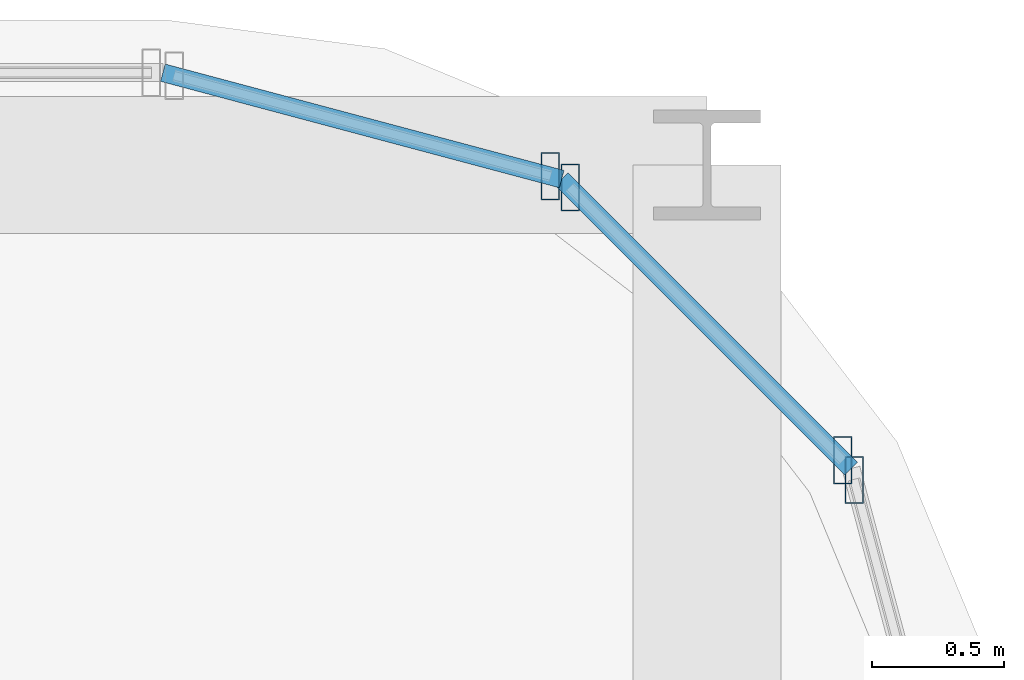
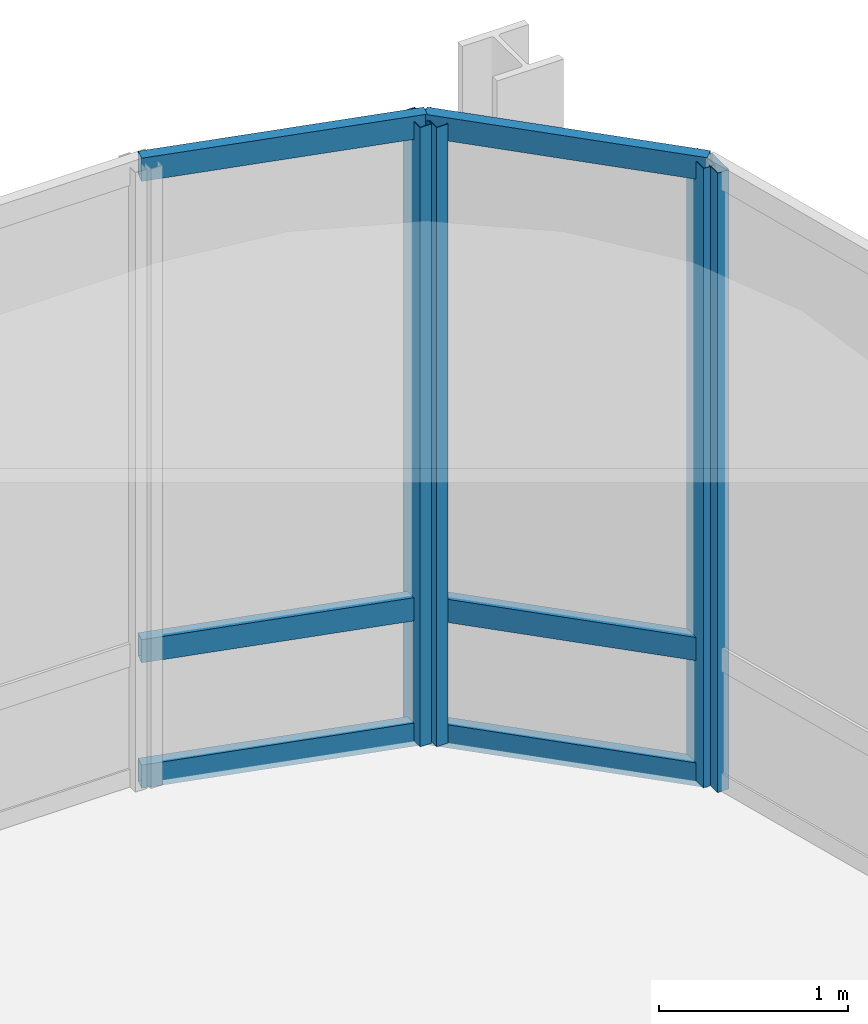
# One storey, part 31 of 42: 10 members, 3 elements without a shape of their own.
"""IFC4 building model written with IfcOpenShell, lengths in metres."""

from ifc_helpers import new_model, si_unit, direction, frame, origin, origin_2d, place, context, subcontext, project, spatial, hollow_rectangle, extrude, material, material_profile, profile_set, type_object, element, aggregate, save


model = new_model("IFC4")

# Units and contexts
model_context = context("Model", 3, precision=1e-05, world=origin(), true_north=direction((0.0, 1.0)))
body_context = subcontext(model_context, "Body", "Model", "MODEL_VIEW")
ifc_project = project(units=[si_unit("LENGTHUNIT", "METRE"), si_unit("AREAUNIT", "SQUARE_METRE"), si_unit("VOLUMEUNIT", "CUBIC_METRE"), si_unit("PLANEANGLEUNIT", "RADIAN"), si_unit("MASSUNIT", "GRAM", prefix="KILO")], contexts=[model_context])

# Site, building, storey
site_placement = place(None, origin())
site = spatial("IfcSite", under=ifc_project, at=site_placement, CompositionType="ELEMENT")
building_placement = place(site_placement, origin())
building = spatial("IfcBuilding", under=site, at=building_placement, Name="Punatoya Terracotta Tower", CompositionType="ELEMENT")
storey_placement = place(building_placement, frame((0.0, 0.0, 296.39990234375)))
storey = spatial("IfcBuildingStorey", under=building, at=storey_placement, Name="L70", CompositionType="ELEMENT", Elevation=296.39990234375)

# Curtain wall, member
ifc_material_1 = material(Name="Aluminium 6063-T6 + Double Low-E Glass", Category="aluminium")
curtain_wall_type = type_object("IfcCurtainWallType", Name="CW-M3", PredefinedType="NOTDEFINED", material=ifc_material_1)
curtain_wall_1_placement = place(storey_placement, origin())
curtain_wall_1 = element("IfcCurtainWall", 1, at=curtain_wall_1_placement, inside=storey, type_object=curtain_wall_type, Name="L70 Curtain Wall CW-L70-CRN06", PredefinedType="NOTDEFINED")
ifc_material_2 = material(Name="Aluminium 6063-T6", Category="aluminium")
ifc_material_profile_1 = material_profile(ifc_material_2, hollow_rectangle(XDim=0.070068359375, YDim=0.179931640625, WallThickness=0.00390625, at=origin_2d()))
ifc_profile_set_1 = profile_set([ifc_material_profile_1], Name="Aluminium 6063-T6")
member_type_1 = type_object("IfcMemberType", Name="CW-MUL-M3", PredefinedType="MULLION", material=ifc_profile_set_1)
member_1_placement = place(storey_placement, frame((19.658203125, 21.70556640625, 0.0), z_axis=(0.0, 0.0, 1.0), x_axis=(1.0, 0.0, 0.0)))
member_1 = element("IfcMember", 2, at=member_1_placement, type_object=member_type_1, Name="CW-L70-CRN06 Mullion 01", PredefinedType="MULLION", context=body_context, shape_type="SweptSolid", body=[
    extrude(hollow_rectangle(XDim=0.070068359375, YDim=0.179931640625, WallThickness=0.00390625, at=origin_2d()), origin(), (0.0, 0.0, 1.0), 4.0),
])
aggregate(curtain_wall_1, [member_1])

# Curtain wall, members
curtain_wall_2_placement = place(storey_placement, origin())
curtain_wall_2 = element("IfcCurtainWall", 3, at=curtain_wall_2_placement, inside=storey, type_object=curtain_wall_type, Name="L70 Curtain Wall CW-L70-CRN07", PredefinedType="NOTDEFINED")
member_2_placement = place(storey_placement, frame((19.61474609375, 21.781005859375, 0.0), z_axis=(0.0, 0.0, 1.0), x_axis=(1.0, 0.0, 0.0)))
member_2 = element("IfcMember", 4, at=member_2_placement, type_object=member_type_1, Name="CW-L70-CRN07 Mullion 00", PredefinedType="MULLION", context=body_context, shape_type="SweptSolid", body=[
    extrude(hollow_rectangle(XDim=0.070068359375, YDim=0.179931640625, WallThickness=0.00390625, at=origin_2d()), origin(), (0.0, 0.0, 1.0), 4.0),
])
member_3_placement = place(storey_placement, frame((18.580810546875, 22.814697265625, 0.0), z_axis=(0.0, 0.0, 1.0), x_axis=(1.0, 0.0, 0.0)))
member_3 = element("IfcMember", 5, at=member_3_placement, type_object=member_type_1, Name="CW-L70-CRN07 Mullion 01", PredefinedType="MULLION", context=body_context, shape_type="SweptSolid", body=[
    extrude(hollow_rectangle(XDim=0.070068359375, YDim=0.179931640625, WallThickness=0.00390625, at=origin_2d()), origin(), (0.0, 0.0, 1.0), 4.0),
])

# Curtain wall, member
curtain_wall_3_placement = place(storey_placement, origin())
curtain_wall_3 = element("IfcCurtainWall", 6, at=curtain_wall_3_placement, inside=storey, type_object=curtain_wall_type, Name="L70 Curtain Wall CW-L70-CRN08", PredefinedType="NOTDEFINED")
member_4_placement = place(storey_placement, frame((18.505615234375, 22.858154296875, 0.0), z_axis=(0.0, 0.0, 1.0), x_axis=(1.0, 0.0, 0.0)))
member_4 = element("IfcMember", 7, at=member_4_placement, type_object=member_type_1, Name="CW-L70-CRN08 Mullion 00", PredefinedType="MULLION", context=body_context, shape_type="SweptSolid", body=[
    extrude(hollow_rectangle(XDim=0.070068359375, YDim=0.179931640625, WallThickness=0.00390625, at=origin_2d()), origin(), (0.0, 0.0, 1.0), 4.0),
])

# Member
ifc_material_profile_2 = material_profile(ifc_material_2, hollow_rectangle(XDim=0.068115234375, YDim=0.14990234375, WallThickness=0.00390625, at=origin_2d()))
ifc_profile_set_2 = profile_set([ifc_material_profile_2], Name="Aluminium 6063-T6")
member_type_2 = type_object("IfcMemberType", Name="CW-TRN-TYP", PredefinedType="USERDEFINED", material=ifc_profile_set_2)
member_5_placement = place(storey_placement, frame((19.646484375, 21.7490234375, 0.0400390625), z_axis=(-0.707028130747, 0.707185422879, 0.0), x_axis=(-0.707185422879, -0.707028130747, 0.0)))
member_5 = element("IfcMember", 8, at=member_5_placement, type_object=member_type_2, Name="CW-L70-CRN07 Transom 1", ObjectType="TRANSOM", PredefinedType="USERDEFINED", context=body_context, shape_type="SweptSolid", body=[
    extrude(hollow_rectangle(XDim=0.068115234375, YDim=0.14990234375, WallThickness=0.00390625, at=origin_2d()), origin(), (0.0, 0.0, 1.0), 1.55224609375),
])

member_6_placement = place(storey_placement, frame((19.646484375, 21.7490234375, 0.85009765625), z_axis=(-0.707028130747, 0.707185422879, 0.0), x_axis=(-0.707185422879, -0.707028130747, 0.0)))
member_6 = element("IfcMember", 9, at=member_6_placement, type_object=member_type_2, Name="CW-L70-CRN07 Transom 2", ObjectType="TRANSOM", PredefinedType="USERDEFINED", context=body_context, shape_type="SweptSolid", body=[
    extrude(hollow_rectangle(XDim=0.068115234375, YDim=0.14990234375, WallThickness=0.00390625, at=origin_2d()), origin(), (0.0, 0.0, 1.0), 1.55224609375),
])

member_7_placement = place(storey_placement, frame((19.646484375, 21.7490234375, 3.960205078125), z_axis=(-0.707028130747, 0.707185422879, 0.0), x_axis=(-0.707185422879, -0.707028130747, 0.0)))
member_7 = element("IfcMember", 10, at=member_7_placement, type_object=member_type_2, Name="CW-L70-CRN07 Transom 3", ObjectType="TRANSOM", PredefinedType="USERDEFINED", context=body_context, shape_type="SweptSolid", body=[
    extrude(hollow_rectangle(XDim=0.068115234375, YDim=0.14990234375, WallThickness=0.00390625, at=origin_2d()), origin(), (0.0, 0.0, 1.0), 1.55224609375),
])

aggregate(curtain_wall_2, [member_2, member_3, member_5, member_6, member_7])

member_8_placement = place(storey_placement, frame((18.549072265625, 22.8466796875, 0.0400390625), z_axis=(-0.966224582397, 0.257701486942, 0.0), x_axis=(-0.257701486942, -0.966224582397, 0.0)))
member_8 = element("IfcMember", 11, at=member_8_placement, type_object=member_type_2, Name="CW-L70-CRN08 Transom 1", ObjectType="TRANSOM", PredefinedType="USERDEFINED", context=body_context, shape_type="SweptSolid", body=[
    extrude(hollow_rectangle(XDim=0.068115234375, YDim=0.14990234375, WallThickness=0.00390625, at=origin_2d()), origin(), (0.0, 0.0, 1.0), 1.565185546875),
])

member_9_placement = place(storey_placement, frame((18.549072265625, 22.8466796875, 0.85009765625), z_axis=(-0.966224582397, 0.257701486942, 0.0), x_axis=(-0.257701486942, -0.966224582397, 0.0)))
member_9 = element("IfcMember", 12, at=member_9_placement, type_object=member_type_2, Name="CW-L70-CRN08 Transom 2", ObjectType="TRANSOM", PredefinedType="USERDEFINED", context=body_context, shape_type="SweptSolid", body=[
    extrude(hollow_rectangle(XDim=0.068115234375, YDim=0.14990234375, WallThickness=0.00390625, at=origin_2d()), origin(), (0.0, 0.0, 1.0), 1.565185546875),
])

member_10_placement = place(storey_placement, frame((18.549072265625, 22.8466796875, 3.960205078125), z_axis=(-0.966224582397, 0.257701486942, 0.0), x_axis=(-0.257701486942, -0.966224582397, 0.0)))
member_10 = element("IfcMember", 13, at=member_10_placement, type_object=member_type_2, Name="CW-L70-CRN08 Transom 3", ObjectType="TRANSOM", PredefinedType="USERDEFINED", context=body_context, shape_type="SweptSolid", body=[
    extrude(hollow_rectangle(XDim=0.068115234375, YDim=0.14990234375, WallThickness=0.00390625, at=origin_2d()), origin(), (0.0, 0.0, 1.0), 1.565185546875),
])

aggregate(curtain_wall_3, [member_4, member_8, member_9, member_10])

save(model, "model.ifc")
